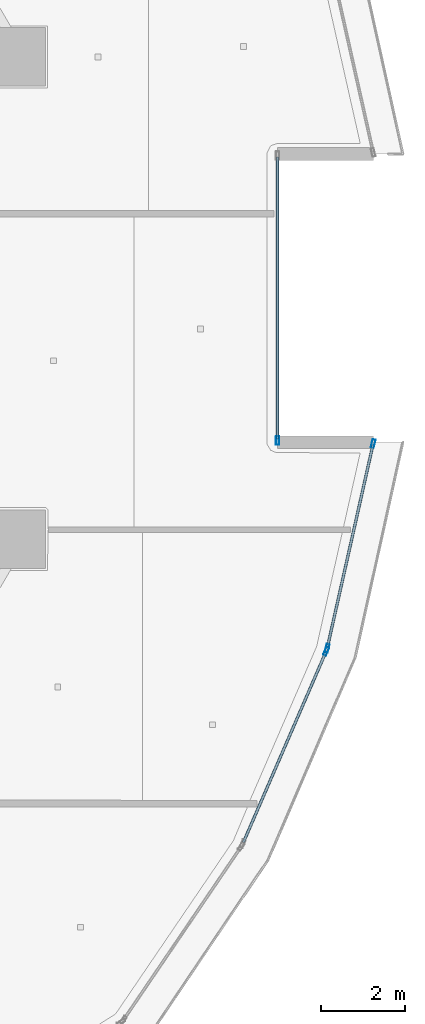
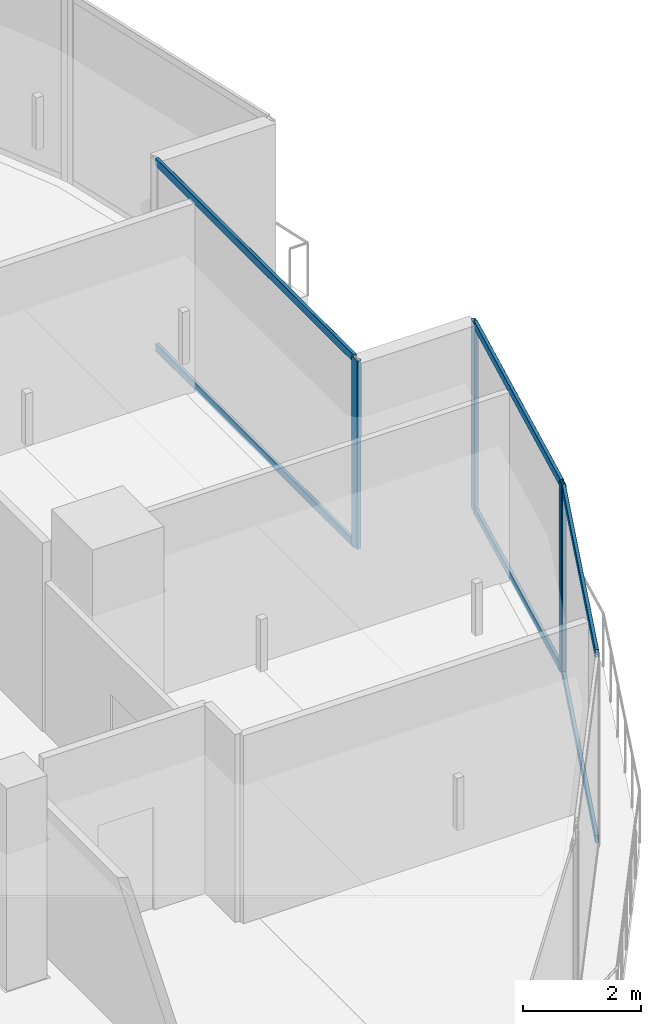
# One storey, part 12 of 30: 10 members, 3 elements without a shape of their own.
"""IFC4 building model written with IfcOpenShell, lengths in metres."""

import ifcopenshell
import ifcopenshell.guid

model = None  # the IFC model being written
_history = None  # IfcOwnerHistory: only IFC2X3 demands one
_inside = {}  # id of a spatial element -> (the spatial element, [elements in it])
_under = {}  # id of a project, library or spatial element -> (it, [spatial elements below it])
_declared = {}  # id of a project -> (the project, [libraries it declares])
_typed = {}  # id of a type object -> (the type object, [elements of that type])
_made_of = {}  # id of a material, layer set ... -> (it, [elements and type objects made of it])


def new_model(schema):
    """Start an empty IFC model of exactly this schema.

    Asked for "IFC4X3", IfcOpenShell would pick the latest addendum, in which some entities
    have other attributes; the version numbers below select the first issue.
    IFC2X3 requires an IfcOwnerHistory on every rooted entity: one is made here for all.
    """
    global model, _history
    if schema == "IFC4X3":
        model = ifcopenshell.file(schema_version=(4, 3, 0, 0))
    else:
        model = ifcopenshell.file(schema=schema)
    _inside.clear()
    _under.clear()
    _declared.clear()
    _typed.clear()
    _made_of.clear()
    _history = None
    if model.schema == "IFC2X3":
        org = make("IfcOrganization", Name="unknown")
        user = make(
            "IfcPersonAndOrganization",
            ThePerson=make("IfcPerson", FamilyName="unknown"),
            TheOrganization=org,
        )
        app = make(
            "IfcApplication",
            ApplicationDeveloper=org,
            Version="unknown",
            ApplicationFullName="unknown",
            ApplicationIdentifier="unknown",
        )
        _history = make(
            "IfcOwnerHistory",
            OwningUser=user,
            OwningApplication=app,
            ChangeAction="ADDED",
            CreationDate=0,
        )
    return model


def make(cls, **values):
    """One entity of the class cls with the attributes given. An attribute that is None is left unset."""
    return model.create_entity(
        cls, **{name: value for name, value in values.items() if value is not None}
    )


def rooted(cls, **values):
    """An entity with a GlobalId (a new one), such as an element, a storey or a relation."""
    return make(cls, GlobalId=ifcopenshell.guid.new(), OwnerHistory=_history, **values)


def si_unit(unit_type, name, prefix=None):
    """IfcSIUnit, for example si_unit("LENGTHUNIT", "METRE", prefix="MILLI")."""
    return make("IfcSIUnit", UnitType=unit_type, Prefix=prefix, Name=name)


def assignment(units):
    """IfcUnitAssignment: the units of a project."""
    return None if units is None else make("IfcUnitAssignment", Units=units)


def point(xyz):
    """IfcCartesianPoint."""
    return None if xyz is None else make("IfcCartesianPoint", Coordinates=xyz)


def direction(xyz):
    """IfcDirection."""
    return None if xyz is None else make("IfcDirection", DirectionRatios=xyz)


def frame(location, z_axis=None, x_axis=None):
    """IfcAxis2Placement3D, a coordinate frame: its origin and axes. An axis left out is left unset."""
    return make(
        "IfcAxis2Placement3D",
        Location=point(location),
        Axis=direction(z_axis),
        RefDirection=direction(x_axis),
    )


def frame_2d(location, x_axis=None):
    """IfcAxis2Placement2D, a coordinate frame in the plane: its origin and x axis."""
    return make(
        "IfcAxis2Placement2D", Location=point(location), RefDirection=direction(x_axis)
    )


def origin():
    """The frame at (0, 0, 0) with its axes left unset."""
    return frame((0.0, 0.0, 0.0))


def origin_2d():
    """The frame at (0, 0) in the plane with its x axis left unset."""
    return frame_2d((0.0, 0.0))


def place(relative_to, where):
    """IfcLocalPlacement: puts the frame where relative to a parent placement (None: the world)."""
    return make(
        "IfcLocalPlacement", PlacementRelTo=relative_to, RelativePlacement=where
    )


def context(
    kind, dimensions, precision=None, world=None, true_north=None, identifier=None
):
    """IfcGeometricRepresentationContext, for example the 3D "Model" context."""
    return make(
        "IfcGeometricRepresentationContext",
        ContextIdentifier=identifier,
        ContextType=kind,
        CoordinateSpaceDimension=dimensions,
        Precision=precision,
        WorldCoordinateSystem=world,
        TrueNorth=true_north,
    )


def subcontext(parent, identifier, kind, view, scale=None):
    """IfcGeometricRepresentationSubContext, for example "Body" below "Model"."""
    return make(
        "IfcGeometricRepresentationSubContext",
        ContextIdentifier=identifier,
        ContextType=kind,
        ParentContext=parent,
        TargetScale=scale,
        TargetView=view,
    )


def project(units=None, contexts=None):
    """IfcProject with its units and contexts."""
    return rooted(
        "IfcProject",
        Name="project",
        RepresentationContexts=contexts,
        UnitsInContext=assignment(units),
    )


def spatial(cls, under=None, at=None, **own):
    """A site, building, storey or space (cls), placed at a placement, below another one or the project."""
    s = rooted(cls, ObjectPlacement=at, **own)
    if under is not None:
        _under.setdefault(under.id(), (under, []))[1].append(s)
    return s


def profile(cls, at=None, kind="AREA", **sizes):
    """A parametric profile (cls). Its sizes go by their IFC names, for example OverallWidth=200.0."""
    return make(cls, ProfileType=kind, Position=at, **sizes)


def hollow_rectangle(**sizes):
    """IfcRectangleHollowProfileDef."""
    return profile("IfcRectangleHollowProfileDef", **sizes)


def extrude(swept, where, along, depth):
    """IfcExtrudedAreaSolid: the profile swept, set in the frame where, extruded along a direction by depth."""
    return make(
        "IfcExtrudedAreaSolid",
        SweptArea=swept,
        Position=where,
        ExtrudedDirection=direction(along),
        Depth=depth,
    )


def shape(context_of_items, identifier, shape_type, items):
    """IfcShapeRepresentation: the items that make up one representation, for example the "Body"."""
    return make(
        "IfcShapeRepresentation",
        ContextOfItems=context_of_items,
        RepresentationIdentifier=identifier,
        RepresentationType=shape_type,
        Items=items,
    )


def material(Name=None, Category=None):
    """IfcMaterial."""
    return make("IfcMaterial", Name=Name, Category=Category)


def layer(
    of_material, thickness, ventilated=None, Name=None, Category=None, Priority=None
):
    """IfcMaterialLayer: one layer of a wall or slab, of a material (None: an air gap)."""
    return make(
        "IfcMaterialLayer",
        Material=of_material,
        LayerThickness=thickness,
        IsVentilated=ventilated,
        Name=Name,
        Category=Category,
        Priority=Priority,
    )


def layer_set(layers, Name=None):
    """IfcMaterialLayerSet."""
    return make("IfcMaterialLayerSet", MaterialLayers=layers, LayerSetName=Name)


def material_profile(
    of_material, cross_section, Name=None, Category=None, Priority=None
):
    """IfcMaterialProfile: a cross section and its material."""
    return make(
        "IfcMaterialProfile",
        Name=Name,
        Material=of_material,
        Profile=cross_section,
        Priority=Priority,
        Category=Category,
    )


def profile_set(profiles, Name=None, composite=None):
    """IfcMaterialProfileSet."""
    return make(
        "IfcMaterialProfileSet",
        Name=Name,
        MaterialProfiles=profiles,
        CompositeProfile=composite,
    )


def made_of(thing, what):
    """Note that an element or type object is made of a material, layer set ...; save() writes the relation."""
    if what is not None:
        _made_of.setdefault(what.id(), (what, []))[1].append(thing)
    return thing


def type_object(cls, material=None, **own):
    """A type object (cls), such as IfcWallType, which elements share."""
    return made_of(rooted(cls, **own), material)


def element(
    cls,
    number,
    at=None,
    inside=None,
    cuts=None,
    type_object=None,
    material=None,
    context=None,
    identifier="Body",
    shape_type=None,
    held_by="IfcProductDefinitionShape",
    body=None,
    shapes=None,
    **own,
):
    """One element of the class cls, such as IfcWall. Its Tag is "e" and its number.

    at: its placement. inside: the storey or other place that contains it. cuts: it is an
    opening in that element (IfcRelVoidsElement). A single representation is given by context,
    identifier, shape_type and body (its items); several are given by shapes. held_by: the class
    of the entity that holds the representations. save() writes the other relations.
    """
    e = rooted(cls, Tag="e%d" % number, ObjectPlacement=at, **own)
    if body is not None:
        shapes = [shape(context, identifier, shape_type, body)]
    if shapes is not None:
        e.Representation = make(held_by, Representations=shapes)
    if inside is not None:
        _inside.setdefault(inside.id(), (inside, []))[1].append(e)
    if cuts is not None:
        rooted(
            "IfcRelVoidsElement", RelatingBuildingElement=cuts, RelatedOpeningElement=e
        )
    if type_object is not None:
        _typed.setdefault(type_object.id(), (type_object, []))[1].append(e)
    return made_of(e, material)


def aggregate(whole, parts):
    """IfcRelAggregates: a whole, such as a stair, and the parts it consists of."""
    return rooted("IfcRelAggregates", RelatingObject=whole, RelatedObjects=parts)


def save(model, path):
    """Write the relations noted so far, then the file.

    IfcRelAggregates (storeys below a building ...), IfcRelContainedInSpatialStructure (elements
    in a storey), IfcRelDefinesByType, IfcRelAssociatesMaterial and IfcRelDeclares: one each for
    every whole, place, type object, material and project.
    """
    for whole, parts in _under.values():
        aggregate(whole, parts)
    for where, things in _inside.values():
        rooted(
            "IfcRelContainedInSpatialStructure",
            RelatedElements=things,
            RelatingStructure=where,
        )
    for kind, things in _typed.values():
        rooted("IfcRelDefinesByType", RelatedObjects=things, RelatingType=kind)
    for what, things in _made_of.values():
        rooted("IfcRelAssociatesMaterial", RelatedObjects=things, RelatingMaterial=what)
    for by, libraries in _declared.values():
        rooted("IfcRelDeclares", RelatingContext=by, RelatedDefinitions=libraries)
    model.write(path)


model = new_model("IFC4")

# Units and contexts
model_context = context("Model", 3, precision=1e-05, world=origin(), true_north=direction((0.0, 1.0)))
body_context = subcontext(model_context, "Body", "Model", "MODEL_VIEW")
ifc_project = project(units=[si_unit("LENGTHUNIT", "METRE"), si_unit("AREAUNIT", "SQUARE_METRE"), si_unit("VOLUMEUNIT", "CUBIC_METRE"), si_unit("PLANEANGLEUNIT", "RADIAN"), si_unit("MASSUNIT", "GRAM", prefix="KILO")], contexts=[model_context])

# Site, building, storey
site_placement = place(None, origin())
site = spatial("IfcSite", under=ifc_project, at=site_placement, CompositionType="ELEMENT")
building_placement = place(site_placement, origin())
building = spatial("IfcBuilding", under=site, at=building_placement, Name="Qorvath Tower", CompositionType="ELEMENT")
storey_placement = place(building_placement, frame((0.0, 0.0, 301.800048828125)))
storey = spatial("IfcBuildingStorey", under=building, at=storey_placement, Name="L70", CompositionType="ELEMENT", Elevation=301.800048828125)

# Curtain wall, member
ifc_material_1 = material(Name="Anodised aluminium and triple low-E glass", Category="aluminium")
ifc_layer = layer(ifc_material_1, 0.179931640625)
ifc_layer_set = layer_set([ifc_layer], Name="CW-SYS-4")
curtain_wall_type = type_object("IfcCurtainWallType", Name="CW-SYS-4", PredefinedType="NOTDEFINED", material=ifc_layer_set)
curtain_wall_1_placement = place(storey_placement, origin())
curtain_wall_1 = element("IfcCurtainWall", 1, at=curtain_wall_1_placement, inside=storey, type_object=curtain_wall_type, Name="Curtain Wall CW-4 CW-T-L70-6.1", PredefinedType="NOTDEFINED")
ifc_material_2 = material(Name="Anodised aluminium 6063-T6", Category="aluminium")
ifc_material_profile_1 = material_profile(ifc_material_2, hollow_rectangle(XDim=0.074951171875, YDim=0.199951171875, WallThickness=0.00390625, InnerFilletRadius=0.00390625, OuterFilletRadius=0.008056640625, at=origin_2d()), Name="CWM 200x75")
ifc_profile_set_1 = profile_set([ifc_material_profile_1], Name="Anodised aluminium 6063-T6")
member_type_1 = type_object("IfcMemberType", Name="CWM-200", PredefinedType="MULLION", material=ifc_profile_set_1)
member_1_placement = place(storey_placement, frame((-4.69775390625, -8.434814453125, 0.0), z_axis=(0.0, 0.0, 1.0), x_axis=(-0.917541273425, 0.39764055573, 0.0)))
member_1 = element("IfcMember", 2, at=member_1_placement, type_object=member_type_1, Name="CW-4 mullion 2", PredefinedType="MULLION", context=body_context, shape_type="SweptSolid", body=[
    extrude(hollow_rectangle(XDim=0.074951171875, YDim=0.199951171875, WallThickness=0.00390625, InnerFilletRadius=0.00390625, OuterFilletRadius=0.008056640625, at=origin_2d()), origin(), (0.0, 0.0, 1.0), 3.909912109375),
])

# Curtain wall, members
curtain_wall_2_placement = place(storey_placement, origin())
curtain_wall_2 = element("IfcCurtainWall", 3, at=curtain_wall_2_placement, inside=storey, type_object=curtain_wall_type, Name="Curtain Wall CW-4 CW-T-L70-7.1", PredefinedType="NOTDEFINED")
member_2_placement = place(storey_placement, frame((-4.674560546875, -8.36376953125, 0.0), z_axis=(0.0, 0.0, 1.0), x_axis=(-0.975637441717, 0.21938911167, 0.0)))
member_2 = element("IfcMember", 4, at=member_2_placement, type_object=member_type_1, Name="CW-4 mullion 1", PredefinedType="MULLION", context=body_context, shape_type="SweptSolid", body=[
    extrude(hollow_rectangle(XDim=0.074951171875, YDim=0.199951171875, WallThickness=0.00390625, InnerFilletRadius=0.00390625, OuterFilletRadius=0.008056640625, at=origin_2d()), origin(), (0.0, 0.0, 1.0), 3.909912109375),
])
member_3_placement = place(storey_placement, frame((-3.57568359375, -3.476318359375, 0.0), z_axis=(0.0, 0.0, 1.0), x_axis=(-0.975637441717, 0.21938911167, 0.0)))
member_3 = element("IfcMember", 5, at=member_3_placement, type_object=member_type_1, Name="CW-4 mullion 2", PredefinedType="MULLION", context=body_context, shape_type="SweptSolid", body=[
    extrude(hollow_rectangle(XDim=0.074951171875, YDim=0.199951171875, WallThickness=0.00390625, InnerFilletRadius=0.00390625, OuterFilletRadius=0.008056640625, at=origin_2d()), origin(), (0.0, 0.0, 1.0), 3.909912109375),
])

# Curtain wall, member
curtain_wall_3_placement = place(storey_placement, origin())
curtain_wall_3 = element("IfcCurtainWall", 6, at=curtain_wall_3_placement, inside=storey, type_object=curtain_wall_type, Name="Curtain Wall CW-4 CW-T-L70-9.1", PredefinedType="NOTDEFINED")
member_4_placement = place(storey_placement, frame((-5.860595703125, -3.402099609375, 0.0), z_axis=(0.0, 0.0, 1.0), x_axis=(-1.0, 0.0, 0.0)))
member_4 = element("IfcMember", 7, at=member_4_placement, type_object=member_type_1, Name="CW-4 mullion 1", PredefinedType="MULLION", context=body_context, shape_type="SweptSolid", body=[
    extrude(hollow_rectangle(XDim=0.074951171875, YDim=0.199951171875, WallThickness=0.00390625, InnerFilletRadius=0.00390625, OuterFilletRadius=0.008056640625, at=origin_2d()), origin(), (0.0, 0.0, 1.0), 3.909912109375),
])

# Member
ifc_material_3 = material(Name="Anodised aluminium 6063-T6", Category="aluminium")
ifc_material_profile_2 = material_profile(ifc_material_3, hollow_rectangle(XDim=0.06494140625, YDim=0.159912109375, WallThickness=0.00341796875, InnerFilletRadius=0.00341796875, OuterFilletRadius=0.007080078125, at=origin_2d()), Name="CWT 160x65")
ifc_profile_set_2 = profile_set([ifc_material_profile_2], Name="Anodised aluminium 6063-T6")
member_type_2 = type_object("IfcMemberType", Name="CWT-160", PredefinedType="USERDEFINED", material=ifc_profile_set_2)
member_5_placement = place(storey_placement, frame((-6.6748046875, -12.99658203125, 0.032470703125), z_axis=(0.3976602019, 0.917532758993, 0.0), x_axis=(-0.917532758993, 0.3976602019, 0.0)))
member_5 = element("IfcMember", 8, at=member_5_placement, type_object=member_type_2, Name="CW-4 transom 1.1", ObjectType="TRANSOM", PredefinedType="USERDEFINED", context=body_context, shape_type="SweptSolid", body=[
    extrude(hollow_rectangle(XDim=0.06494140625, YDim=0.159912109375, WallThickness=0.00341796875, InnerFilletRadius=0.00341796875, OuterFilletRadius=0.007080078125, at=origin_2d()), origin(), (0.0, 0.0, 1.0), 4.934326171875),
])

member_6_placement = place(storey_placement, frame((-6.6748046875, -12.99658203125, 3.87744140625), z_axis=(0.3976602019, 0.917532758993, 0.0), x_axis=(-0.917532758993, 0.3976602019, 0.0)))
member_6 = element("IfcMember", 9, at=member_6_placement, type_object=member_type_2, Name="CW-4 transom 1.2", ObjectType="TRANSOM", PredefinedType="USERDEFINED", context=body_context, shape_type="SweptSolid", body=[
    extrude(hollow_rectangle(XDim=0.06494140625, YDim=0.159912109375, WallThickness=0.00341796875, InnerFilletRadius=0.00341796875, OuterFilletRadius=0.007080078125, at=origin_2d()), origin(), (0.0, 0.0, 1.0), 4.934326171875),
])

aggregate(curtain_wall_1, [member_1, member_5, member_6])

member_7_placement = place(storey_placement, frame((-4.66650390625, -8.3271484375, 0.032470703125), z_axis=(0.219428605102, 0.97562856009, 0.0), x_axis=(-0.97562856009, 0.219428605102, 0.0)))
member_7 = element("IfcMember", 10, at=member_7_placement, type_object=member_type_2, Name="CW-4 transom 1.1", ObjectType="TRANSOM", PredefinedType="USERDEFINED", context=body_context, shape_type="SweptSolid", body=[
    extrude(hollow_rectangle(XDim=0.06494140625, YDim=0.159912109375, WallThickness=0.00341796875, InnerFilletRadius=0.00341796875, OuterFilletRadius=0.007080078125, at=origin_2d()), origin(), (0.0, 0.0, 1.0), 4.9345703125),
])

member_8_placement = place(storey_placement, frame((-4.66650390625, -8.3271484375, 3.87744140625), z_axis=(0.219428605102, 0.97562856009, 0.0), x_axis=(-0.97562856009, 0.219428605102, 0.0)))
member_8 = element("IfcMember", 11, at=member_8_placement, type_object=member_type_2, Name="CW-4 transom 1.2", ObjectType="TRANSOM", PredefinedType="USERDEFINED", context=body_context, shape_type="SweptSolid", body=[
    extrude(hollow_rectangle(XDim=0.06494140625, YDim=0.159912109375, WallThickness=0.00341796875, InnerFilletRadius=0.00341796875, OuterFilletRadius=0.007080078125, at=origin_2d()), origin(), (0.0, 0.0, 1.0), 4.9345703125),
])

aggregate(curtain_wall_2, [member_2, member_3, member_7, member_8])

member_9_placement = place(storey_placement, frame((-5.860595703125, -3.36474609375, 0.032470703125), z_axis=(0.0, 1.0, 0.0), x_axis=(-1.0, 0.0, 0.0)))
member_9 = element("IfcMember", 12, at=member_9_placement, type_object=member_type_2, Name="CW-4 transom 1.1", ObjectType="TRANSOM", PredefinedType="USERDEFINED", context=body_context, shape_type="SweptSolid", body=[
    extrude(hollow_rectangle(XDim=0.06494140625, YDim=0.159912109375, WallThickness=0.00341796875, InnerFilletRadius=0.00341796875, OuterFilletRadius=0.007080078125, at=origin_2d()), origin(), (0.0, 0.0, 1.0), 6.7294921875),
])

member_10_placement = place(storey_placement, frame((-5.860595703125, -3.36474609375, 3.87744140625), z_axis=(0.0, 1.0, 0.0), x_axis=(-1.0, 0.0, 0.0)))
member_10 = element("IfcMember", 13, at=member_10_placement, type_object=member_type_2, Name="CW-4 transom 1.2", ObjectType="TRANSOM", PredefinedType="USERDEFINED", context=body_context, shape_type="SweptSolid", body=[
    extrude(hollow_rectangle(XDim=0.06494140625, YDim=0.159912109375, WallThickness=0.00341796875, InnerFilletRadius=0.00341796875, OuterFilletRadius=0.007080078125, at=origin_2d()), origin(), (0.0, 0.0, 1.0), 6.7294921875),
])

aggregate(curtain_wall_3, [member_4, member_9, member_10])

save(model, "model.ifc")
